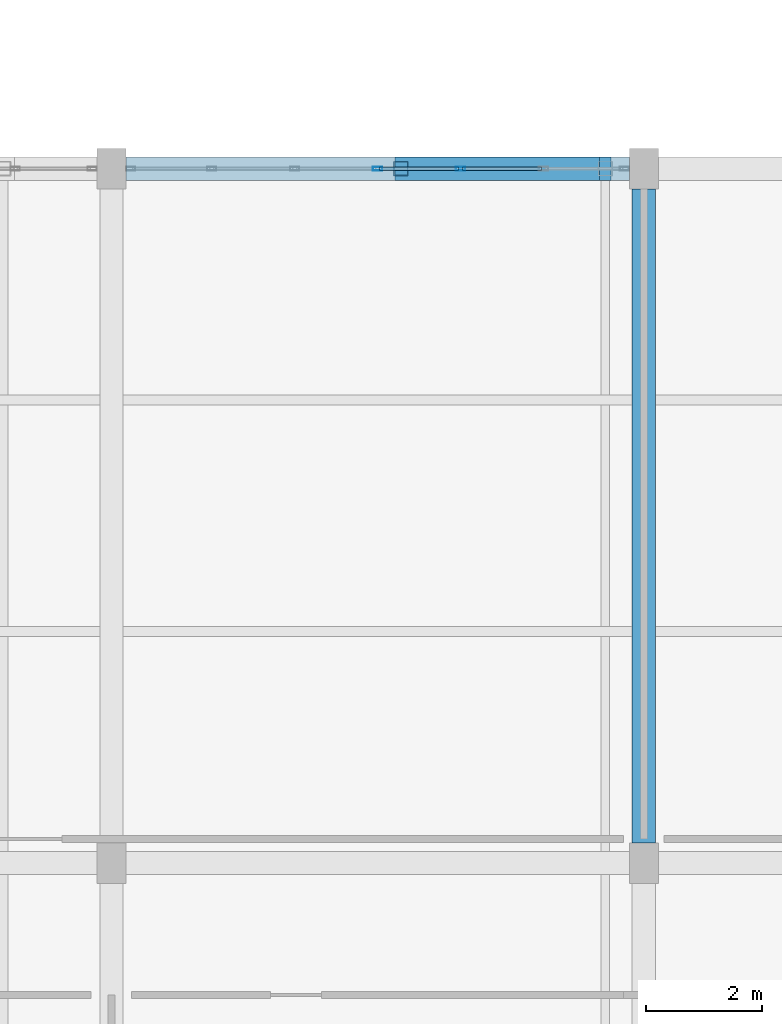
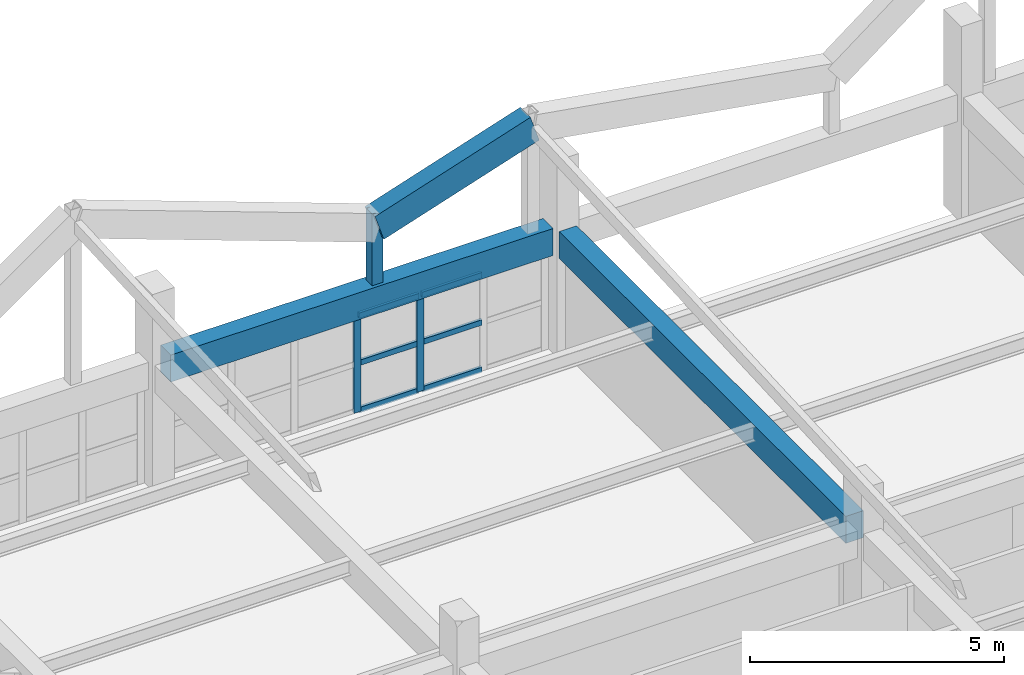
# One storey, part 23 of 127: 9 members, 3 beams, 1 element without a shape of its own.
"""IFC4 building model written with IfcOpenShell, lengths in metres."""

from ifc_helpers import new_model, si_unit, direction, frame, origin, origin_2d, place, context, subcontext, project, spatial, rectangle, hollow_rectangle, extrude, material, material_profile, profile_set, type_object, element, aggregate, save


model = new_model("IFC4")

# Units and contexts
model_context = context("Model", 3, precision=1e-05, world=origin(), true_north=direction((0.0, 1.0)))
body_context = subcontext(model_context, "Body", "Model", "MODEL_VIEW")
ifc_project = project(units=[si_unit("LENGTHUNIT", "METRE"), si_unit("AREAUNIT", "SQUARE_METRE"), si_unit("VOLUMEUNIT", "CUBIC_METRE"), si_unit("PLANEANGLEUNIT", "RADIAN"), si_unit("MASSUNIT", "GRAM", prefix="KILO")], contexts=[model_context])

# Site, building, storey
site_placement = place(None, origin())
site = spatial("IfcSite", under=ifc_project, at=site_placement, CompositionType="ELEMENT")
building_placement = place(site_placement, origin())
building = spatial("IfcBuilding", under=site, at=building_placement, Name="Kestramere Prow Commons", CompositionType="ELEMENT")
storey_placement = place(building_placement, frame((0.0, 0.0, 8.39990234375)))
storey = spatial("IfcBuildingStorey", under=building, at=storey_placement, Name="L02", CompositionType="ELEMENT", Elevation=8.39990234375)

# Beams
ifc_material_1 = material(Name="Precast concrete C40/50", Category="concrete")
ifc_material_profile_1 = material_profile(ifc_material_1, rectangle(XDim=0.39990234375, YDim=0.64990234375, at=origin_2d()), Name="PC-BM 400x650")
ifc_profile_set_1 = profile_set([ifc_material_profile_1], Name="Precast concrete C40/50")
beam_type_1 = type_object("IfcBeamType", Name="BM-MK-01 PC-BM 400x650", PredefinedType="BEAM", material=ifc_profile_set_1)
beam_1_placement = place(storey_placement, frame((85.0, 12.35009765625, 2.675048828125), z_axis=(0.0, 1.0, 0.0), x_axis=(-1.0, 0.0, 0.0)))
element("IfcBeam", 1, at=beam_1_placement, inside=storey, type_object=beam_type_1, Name="Market Spine L02 Beam Y 4-2", PredefinedType="BEAM", context=body_context, shape_type="SweptSolid", body=[
    extrude(rectangle(XDim=0.39990234375, YDim=0.64990234375, at=origin_2d()), origin(), (0.0, 0.0, 1.0), 11.2998046875),
])
ifc_material_profile_2 = material_profile(ifc_material_1, rectangle(XDim=0.39990234375, YDim=0.64990234375, at=origin_2d()), Name="PC-BM 400x650")
ifc_profile_set_2 = profile_set([ifc_material_profile_2], Name="Precast concrete C40/50")
beam_type_2 = type_object("IfcBeamType", Name="BM-MK-01 PC-BM 400x650 (EX)", PredefinedType="BEAM", material=ifc_profile_set_2)
beam_2_placement = place(storey_placement, frame((76.050048828125, 24.0, 2.675048828125), z_axis=(1.0, 0.0, 0.0), x_axis=(0.0, 1.0, 0.0)))
element("IfcBeam", 2, at=beam_2_placement, inside=storey, type_object=beam_type_2, Name="Market Spine L02 Beam X 3-3", PredefinedType="BEAM", context=body_context, shape_type="SweptSolid", body=[
    extrude(rectangle(XDim=0.39990234375, YDim=0.64990234375, at=origin_2d()), origin(), (0.0, 0.0, 1.0), 8.699951171875),
])
beam_3_placement = place(storey_placement, frame((80.800048828125, 24.0, 4.39501953125), z_axis=(0.950956352568, 0.0, 0.3093250968), x_axis=(0.0, 1.0, 0.0)))
element("IfcBeam", 3, at=beam_3_placement, inside=storey, type_object=beam_type_2, Name="Market Folded Rafter 3L-24", PredefinedType="BEAM", context=body_context, shape_type="SweptSolid", body=[
    extrude(rectangle(XDim=0.39990234375, YDim=0.64990234375, at=origin_2d()), origin(), (0.0, 0.0, 1.0), 3.71826171875),
])

# Member
ifc_material_2 = material(Name="Steel S355JR", Category="steel")
ifc_material_profile_3 = material_profile(ifc_material_2, hollow_rectangle(XDim=0.25, YDim=0.25, WallThickness=0.012451171875, at=origin_2d()), Name="SHS 250x250x12.5")
ifc_profile_set_3 = profile_set([ifc_material_profile_3], Name="Steel S355JR")
member_type_1 = type_object("IfcMemberType", Name="BRAPX-01 SHS 250x250x12.5", PredefinedType="BRACE", material=ifc_profile_set_3)
member_1_placement = place(storey_placement, frame((80.800048828125, 24.0, 2.675048828125), z_axis=(0.0, 0.0, 1.0), x_axis=(1.0, 0.0, 0.0)))
element("IfcMember", 4, at=member_1_placement, inside=storey, type_object=member_type_1, Name="Market Folded Valley Diagonal Brace 3-24", PredefinedType="BRACE", context=body_context, shape_type="SweptSolid", body=[
    extrude(hollow_rectangle(XDim=0.25, YDim=0.25, WallThickness=0.012451171875, at=origin_2d()), origin(), (0.0, 0.0, 1.0), 2.045166015625),
])

# Curtain wall, members
ifc_material_3 = material(Name="Anodised Aluminium and Low-E Glass", Category="aluminium")
curtain_wall_type = type_object("IfcCurtainWallType", Name="CW-30 Glazed Curtain Wall 8600x2340", PredefinedType="USERDEFINED", material=ifc_material_3)
curtain_wall_placement = place(storey_placement, origin())
curtain_wall = element("IfcCurtainWall", 5, at=curtain_wall_placement, inside=storey, type_object=curtain_wall_type, Name="Market L02 Courtyard Shopfront 3", ObjectType="GLAZED CURTAIN WALL", PredefinedType="USERDEFINED")
ifc_material_4 = material(Name="Anodised Aluminium 6063-T6", Category="aluminium")
ifc_material_profile_4 = material_profile(ifc_material_4, hollow_rectangle(XDim=0.06494140625, YDim=0.159912109375, WallThickness=0.00390625, at=origin_2d()), Name="ALU-MUL 65x160")
ifc_profile_set_4 = profile_set([ifc_material_profile_4], Name="Anodised Aluminium 6063-T6")
member_type_2 = type_object("IfcMemberType", Name="CW-MUL-65x160", PredefinedType="MULLION", material=ifc_profile_set_4)
member_2_placement = place(storey_placement, frame((80.39990234375, 24.0, 0.0), z_axis=(0.0, 0.0, 1.0), x_axis=(0.0, 1.0, 0.0)))
member_2 = element("IfcMember", 6, at=member_2_placement, type_object=member_type_2, Name="CW-30 mullion 4", PredefinedType="MULLION", context=body_context, shape_type="SweptSolid", body=[
    extrude(hollow_rectangle(XDim=0.06494140625, YDim=0.159912109375, WallThickness=0.00390625, at=origin_2d()), origin(), (0.0, 0.0, 1.0), 2.340087890625),
])
member_3_placement = place(storey_placement, frame((81.833251953125, 24.0, 0.0), z_axis=(0.0, 0.0, 1.0), x_axis=(0.0, 1.0, 0.0)))
member_3 = element("IfcMember", 7, at=member_3_placement, type_object=member_type_2, Name="CW-30 mullion 5", PredefinedType="MULLION", context=body_context, shape_type="SweptSolid", body=[
    extrude(hollow_rectangle(XDim=0.06494140625, YDim=0.159912109375, WallThickness=0.00390625, at=origin_2d()), origin(), (0.0, 0.0, 1.0), 2.340087890625),
])
ifc_material_profile_5 = material_profile(ifc_material_4, hollow_rectangle(XDim=0.06494140625, YDim=0.1298828125, WallThickness=0.00390625, at=origin_2d()), Name="ALU-TRN 65x130")
ifc_profile_set_5 = profile_set([ifc_material_profile_5], Name="Anodised Aluminium 6063-T6")
member_type_3 = type_object("IfcMemberType", Name="CW-TRN-65x130", PredefinedType="USERDEFINED", material=ifc_profile_set_5)
member_4_placement = place(storey_placement, frame((80.4326171875, 24.0, 0.03271484375), z_axis=(1.0, 0.0, 0.0), x_axis=(0.0, 1.0, 0.0)))
member_4 = element("IfcMember", 8, at=member_4_placement, type_object=member_type_3, Name="CW-30 transom 4.1", ObjectType="TRANSOM", PredefinedType="USERDEFINED", context=body_context, shape_type="SweptSolid", body=[
    extrude(hollow_rectangle(XDim=0.06494140625, YDim=0.1298828125, WallThickness=0.00390625, at=origin_2d()), origin(), (0.0, 0.0, 1.0), 1.3681640625),
])
member_5_placement = place(storey_placement, frame((80.4326171875, 24.0, 1.170166015625), z_axis=(1.0, 0.0, 0.0), x_axis=(0.0, 1.0, 0.0)))
member_5 = element("IfcMember", 9, at=member_5_placement, type_object=member_type_3, Name="CW-30 transom 4.2", ObjectType="TRANSOM", PredefinedType="USERDEFINED", context=body_context, shape_type="SweptSolid", body=[
    extrude(hollow_rectangle(XDim=0.06494140625, YDim=0.1298828125, WallThickness=0.00390625, at=origin_2d()), origin(), (0.0, 0.0, 1.0), 1.3681640625),
])
member_6_placement = place(storey_placement, frame((80.4326171875, 24.0, 2.3076171875), z_axis=(1.0, 0.0, 0.0), x_axis=(0.0, 1.0, 0.0)))
member_6 = element("IfcMember", 10, at=member_6_placement, type_object=member_type_3, Name="CW-30 transom 4.3", ObjectType="TRANSOM", PredefinedType="USERDEFINED", context=body_context, shape_type="SweptSolid", body=[
    extrude(hollow_rectangle(XDim=0.06494140625, YDim=0.1298828125, WallThickness=0.00390625, at=origin_2d()), origin(), (0.0, 0.0, 1.0), 1.3681640625),
])
member_7_placement = place(storey_placement, frame((81.86572265625, 24.0, 0.03271484375), z_axis=(1.0, 0.0, 0.0), x_axis=(0.0, 1.0, 0.0)))
member_7 = element("IfcMember", 11, at=member_7_placement, type_object=member_type_3, Name="CW-30 transom 5.1", ObjectType="TRANSOM", PredefinedType="USERDEFINED", context=body_context, shape_type="SweptSolid", body=[
    extrude(hollow_rectangle(XDim=0.06494140625, YDim=0.1298828125, WallThickness=0.00390625, at=origin_2d()), origin(), (0.0, 0.0, 1.0), 1.368408203125),
])
member_8_placement = place(storey_placement, frame((81.86572265625, 24.0, 1.170166015625), z_axis=(1.0, 0.0, 0.0), x_axis=(0.0, 1.0, 0.0)))
member_8 = element("IfcMember", 12, at=member_8_placement, type_object=member_type_3, Name="CW-30 transom 5.2", ObjectType="TRANSOM", PredefinedType="USERDEFINED", context=body_context, shape_type="SweptSolid", body=[
    extrude(hollow_rectangle(XDim=0.06494140625, YDim=0.1298828125, WallThickness=0.00390625, at=origin_2d()), origin(), (0.0, 0.0, 1.0), 1.368408203125),
])
member_9_placement = place(storey_placement, frame((81.86572265625, 24.0, 2.3076171875), z_axis=(1.0, 0.0, 0.0), x_axis=(0.0, 1.0, 0.0)))
member_9 = element("IfcMember", 13, at=member_9_placement, type_object=member_type_3, Name="CW-30 transom 5.3", ObjectType="TRANSOM", PredefinedType="USERDEFINED", context=body_context, shape_type="SweptSolid", body=[
    extrude(hollow_rectangle(XDim=0.06494140625, YDim=0.1298828125, WallThickness=0.00390625, at=origin_2d()), origin(), (0.0, 0.0, 1.0), 1.368408203125),
])
aggregate(curtain_wall, [member_2, member_3, member_4, member_5, member_6, member_7, member_8, member_9])

save(model, "model.ifc")
